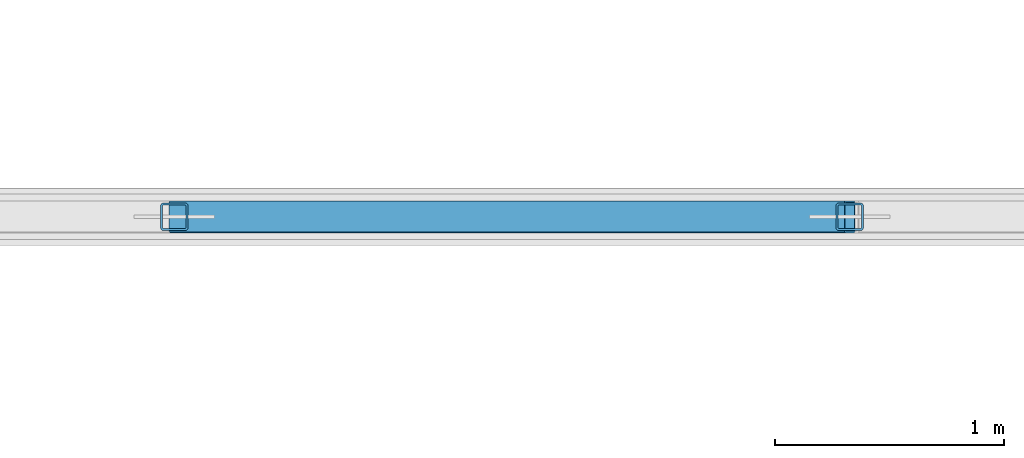
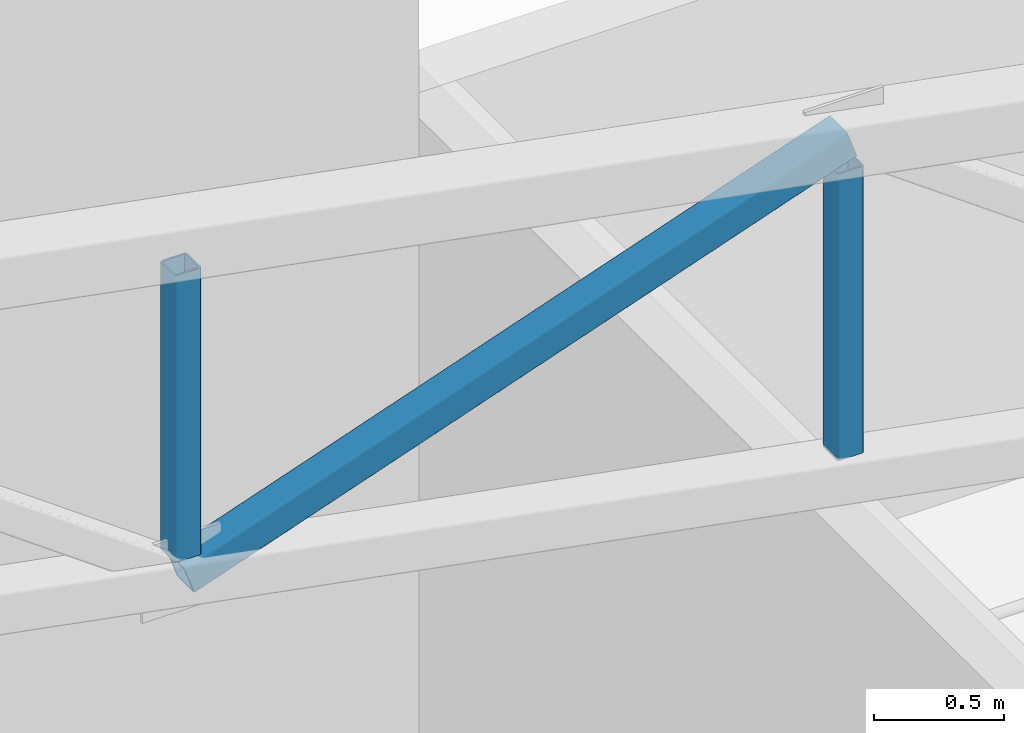
# One storey, part 16 of 125: 3 members.
"""IFC4 building model written with IfcOpenShell, lengths in metres."""

from ifc_helpers import new_model, si_unit, direction, frame, origin, origin_2d, place, context, subcontext, project, spatial, hollow_rectangle, extrude, material, material_profile, profile_set, type_object, element, save


model = new_model("IFC4")

# Units and contexts
model_context = context("Model", 3, precision=1e-05, world=origin(), true_north=direction((0.0, 1.0)))
body_context = subcontext(model_context, "Body", "Model", "MODEL_VIEW")
ifc_project = project(units=[si_unit("LENGTHUNIT", "METRE"), si_unit("AREAUNIT", "SQUARE_METRE"), si_unit("VOLUMEUNIT", "CUBIC_METRE"), si_unit("PLANEANGLEUNIT", "RADIAN"), si_unit("MASSUNIT", "GRAM", prefix="KILO")], contexts=[model_context])

# Site, building, storey
site_placement = place(None, origin())
site = spatial("IfcSite", under=ifc_project, at=site_placement, CompositionType="ELEMENT")
building_placement = place(site_placement, origin())
building = spatial("IfcBuilding", under=site, at=building_placement, Name="Sun Court Science Centre", CompositionType="ELEMENT")
storey_placement = place(building_placement, frame((0.0, 0.0, 6.0)))
storey = spatial("IfcBuildingStorey", under=building, at=storey_placement, Name="L01", CompositionType="ELEMENT", Elevation=6.0)

# Members
ifc_material_1 = material(Name="Steel S355", Category="steel")
ifc_material_profile_1 = material_profile(ifc_material_1, hollow_rectangle(XDim=0.139892578125, YDim=0.139892578125, WallThickness=0.008056640625, InnerFilletRadius=0.008056640625, OuterFilletRadius=0.011962890625, at=origin_2d()), Name="SHS 140x140x8")
ifc_profile_set_1 = profile_set([ifc_material_profile_1], Name="Steel S355")
member_type_1 = type_object("IfcMemberType", Name="Truss diagonal SHS 140x140x8", PredefinedType="BRACE", material=ifc_profile_set_1)
member_placement = place(storey_placement, frame((12.0, 64.0, 7.1298828125), z_axis=(0.944903296783, 0.0, 0.327349598637), x_axis=(0.0, 1.0, 0.0)))
element("IfcMember", 1, at=member_placement, inside=storey, type_object=member_type_1, Name="Roof truss 3 diagonal 5", PredefinedType="BRACE", context=body_context, shape_type="SweptSolid", body=[
    extrude(hollow_rectangle(XDim=0.139892578125, YDim=0.139892578125, WallThickness=0.008056640625, InnerFilletRadius=0.008056640625, OuterFilletRadius=0.011962890625, at=origin_2d()), origin(), (0.0, 0.0, 1.0), 3.1220703125),
])
ifc_material_2 = material(Name="Steel S355", Category="steel")
ifc_material_profile_2 = material_profile(ifc_material_2, hollow_rectangle(XDim=0.1201171875, YDim=0.1201171875, WallThickness=0.008056640625, InnerFilletRadius=0.008056640625, OuterFilletRadius=0.011962890625, at=origin_2d()), Name="SHS 120x120x8")
ifc_profile_set_2 = profile_set([ifc_material_profile_2], Name="Steel S355")
member_type_2 = type_object("IfcMemberType", Name="Truss post SHS 120x120x8", PredefinedType="POST", material=ifc_profile_set_2)
for number, where, z_axis, x_axis, name in (
    (2, (12.0, 64.0, 7.22998046875), (0.0, 0.0, 1.0), (1.0, 0.0, 0.0), "Roof truss 3 post 5"),
    (3, (14.949951171875, 64.0, 6.6767578125), (0.0, 0.0, 1.0), (1.0, 0.0, 0.0), "Roof truss 3 post 6"),
):
    element("IfcMember", number, at=place(storey_placement, frame(where, z_axis=z_axis, x_axis=x_axis)), inside=storey, type_object=member_type_2, Name=name, PredefinedType="POST", context=body_context, shape_type="SweptSolid", body=[
        extrude(hollow_rectangle(XDim=0.1201171875, YDim=0.1201171875, WallThickness=0.008056640625, InnerFilletRadius=0.008056640625, OuterFilletRadius=0.011962890625, at=origin_2d()), origin(), (0.0, 0.0, 1.0), 1.35009765625),
    ])

save(model, "model.ifc")
